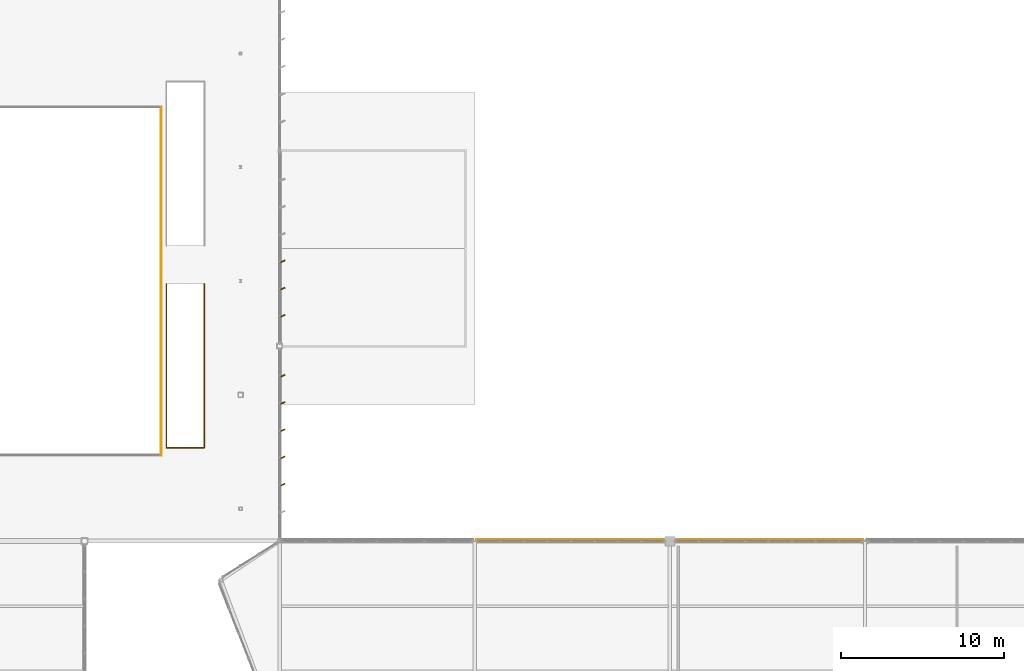
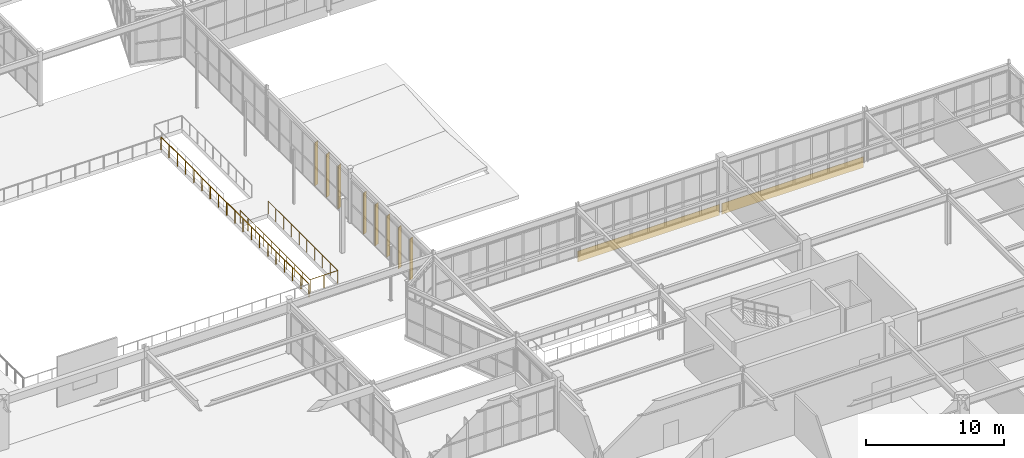
# One storey, part 219 of 226: 8 shading devices, 2 coverings, 2 railings.
"""IFC4 building model written with IfcOpenShell, lengths in metres."""

from ifc_helpers import new_model, si_unit, direction, frame, origin, origin_2d, place, context, subcontext, project, spatial, rectangle, circle, extrude, material, layer, layer_set, type_object, element, save


model = new_model("IFC4")

# Units and contexts
model_context = context("Model", 3, precision=1e-05, world=origin(), true_north=direction((0.0, 1.0)))
body_context = subcontext(model_context, "Body", "Model", "MODEL_VIEW")
ifc_project = project(units=[si_unit("LENGTHUNIT", "METRE"), si_unit("AREAUNIT", "SQUARE_METRE"), si_unit("VOLUMEUNIT", "CUBIC_METRE"), si_unit("PLANEANGLEUNIT", "RADIAN"), si_unit("MASSUNIT", "GRAM", prefix="KILO")], contexts=[model_context])

# Site, building, storey
site_placement = place(None, origin())
site = spatial("IfcSite", under=ifc_project, at=site_placement, CompositionType="ELEMENT")
building_placement = place(site_placement, origin())
building = spatial("IfcBuilding", under=site, at=building_placement, Name="Tarnwether General Hospital", CompositionType="ELEMENT")
storey_placement = place(building_placement, frame((0.0, 0.0, 4.800048828125)))
storey = spatial("IfcBuildingStorey", under=building, at=storey_placement, Name="L01", CompositionType="ELEMENT", Elevation=4.800048828125)

# Coverings
ifc_material_1 = material(Name="Folded zinc-titanium cladding")
ifc_layer_1 = layer(ifc_material_1, 0.0400390625)
ifc_layer_set_1 = layer_set([ifc_layer_1], Name="Folded zinc-titanium cladding")
covering_type = type_object("IfcCoveringType", Name="CV-CLD-ZNC", PredefinedType="CLADDING", material=ifc_layer_set_1)
for number, where, z_axis, x_axis, name in (
    (1, (162.0, 45.68994140625, -0.55517578125), (0.0, 0.0, 1.0), (1.0, 0.0, 0.0), "Deconstructivist Faceted Zinc Spandrel Blade 006"),
    (2, (174.0, 45.68994140625, -0.55517578125), (0.0, 0.0, 1.0), (1.0, 0.0, 0.0), "Deconstructivist Faceted Zinc Spandrel Blade 007"),
):
    element("IfcCovering", number, at=place(storey_placement, frame(where, z_axis=z_axis, x_axis=x_axis)), inside=storey, type_object=covering_type, Name=name, PredefinedType="CLADDING", context=body_context, shape_type="SweptSolid", body=[
        extrude(rectangle(XDim=11.800048828125, YDim=0.0400390625, at=origin_2d()), origin(), (0.0, 0.0, 1.0), 0.949951171875),
    ])

# Railings
ifc_material_2 = material(Name="Double glazed low-E glass", Category="glass")
railing_type_1 = type_object("IfcRailingType", Name="RL-BAL-ATR", PredefinedType="BALUSTRADE", material=ifc_material_2)
railing_1_placement = place(storey_placement, frame((136.699951171875, 50.89990234375, 0.0)))
element("IfcRailing", 3, at=railing_1_placement, inside=storey, type_object=railing_type_1, Name="Main Hall Atrium Balustrade L01 2", PredefinedType="BALUSTRADE", context=body_context, shape_type="SweptSolid", body=[
    extrude(circle(Radius=0.02392578125, at=origin_2d()), frame((0.0, 0.0, 1.1259765625), z_axis=(0.0, 1.0, 0.0), x_axis=(-1.0, 0.0, 0.0)), (0.0, 0.0, 1.0), 21.400146484375),
    extrude(circle(Radius=0.02099609375, at=origin_2d()), origin(), (0.0, 0.0, 1.0), 1.101806640625),
    extrude(circle(Radius=0.02099609375, at=origin_2d()), frame((0.0, 1.18896484375, 0.0)), (0.0, 0.0, 1.0), 1.101806640625),
    extrude(circle(Radius=0.02099609375, at=origin_2d()), frame((0.0, 2.377685546875, 0.0)), (0.0, 0.0, 1.0), 1.101806640625),
    extrude(circle(Radius=0.02099609375, at=origin_2d()), frame((0.0, 3.566650390625, 0.0)), (0.0, 0.0, 1.0), 1.101806640625),
    extrude(circle(Radius=0.02099609375, at=origin_2d()), frame((0.0, 4.755615234375, 0.0)), (0.0, 0.0, 1.0), 1.101806640625),
    extrude(circle(Radius=0.02099609375, at=origin_2d()), frame((0.0, 5.944580078125, 0.0)), (0.0, 0.0, 1.0), 1.101806640625),
    extrude(circle(Radius=0.02099609375, at=origin_2d()), frame((0.0, 7.13330078125, 0.0)), (0.0, 0.0, 1.0), 1.101806640625),
    extrude(circle(Radius=0.02099609375, at=origin_2d()), frame((0.0, 8.322265625, 0.0)), (0.0, 0.0, 1.0), 1.101806640625),
    extrude(circle(Radius=0.02099609375, at=origin_2d()), frame((0.0, 9.51123046875, 0.0)), (0.0, 0.0, 1.0), 1.101806640625),
    extrude(circle(Radius=0.02099609375, at=origin_2d()), frame((0.0, 10.7001953125, 0.0)), (0.0, 0.0, 1.0), 1.101806640625),
    extrude(circle(Radius=0.02099609375, at=origin_2d()), frame((0.0, 11.888916015625, 0.0)), (0.0, 0.0, 1.0), 1.101806640625),
    extrude(circle(Radius=0.02099609375, at=origin_2d()), frame((0.0, 13.077880859375, 0.0)), (0.0, 0.0, 1.0), 1.101806640625),
    extrude(circle(Radius=0.02099609375, at=origin_2d()), frame((0.0, 14.266845703125, 0.0)), (0.0, 0.0, 1.0), 1.101806640625),
    extrude(circle(Radius=0.02099609375, at=origin_2d()), frame((0.0, 15.45556640625, 0.0)), (0.0, 0.0, 1.0), 1.101806640625),
    extrude(circle(Radius=0.02099609375, at=origin_2d()), frame((0.0, 16.64453125, 0.0)), (0.0, 0.0, 1.0), 1.101806640625),
    extrude(circle(Radius=0.02099609375, at=origin_2d()), frame((0.0, 17.83349609375, 0.0)), (0.0, 0.0, 1.0), 1.101806640625),
    extrude(circle(Radius=0.02099609375, at=origin_2d()), frame((0.0, 19.0224609375, 0.0)), (0.0, 0.0, 1.0), 1.101806640625),
    extrude(circle(Radius=0.02099609375, at=origin_2d()), frame((0.0, 20.211181640625, 0.0)), (0.0, 0.0, 1.0), 1.101806640625),
    extrude(circle(Radius=0.02099609375, at=origin_2d()), frame((0.0, 21.400146484375, 0.0)), (0.0, 0.0, 1.0), 1.101806640625),
])
ifc_material_3 = material(Name="Anodised aluminium", Category="aluminium")
railing_type_2 = type_object("IfcRailingType", Name="RL-GRD-EXT", PredefinedType="GUARDRAIL", material=ifc_material_3)
railing_2_placement = place(storey_placement, frame((139.360107421875, 61.419921875, 0.0)))
element("IfcRailing", 4, at=railing_2_placement, inside=storey, type_object=railing_type_2, Name="Feature Stair Well Guard ST-11 L01", PredefinedType="GUARDRAIL", context=body_context, shape_type="SweptSolid", body=[
    extrude(circle(Radius=0.02392578125, at=origin_2d()), frame((0.0, 0.0, 1.1259765625), z_axis=(0.0, -1.0, 0.0), x_axis=(1.0, 0.0, 0.0)), (0.0, 0.0, 1.0), 10.079833984375),
    extrude(circle(Radius=0.02392578125, at=origin_2d()), frame((0.0, -10.079833984375, 1.1259765625), z_axis=(-1.0, 0.0, 0.0), x_axis=(0.0, -1.0, 0.0)), (0.0, 0.0, 1.0), 2.320068359375),
    extrude(circle(Radius=0.02392578125, at=origin_2d()), frame((-2.320068359375, -10.079833984375, 1.1259765625), z_axis=(0.0, 1.0, 0.0), x_axis=(-1.0, 0.0, 0.0)), (0.0, 0.0, 1.0), 10.079833984375),
    extrude(circle(Radius=0.02099609375, at=origin_2d()), origin(), (0.0, 0.0, 1.0), 1.101806640625),
    extrude(circle(Radius=0.02099609375, at=origin_2d()), frame((0.0, -1.119873046875, 0.0)), (0.0, 0.0, 1.0), 1.101806640625),
    extrude(circle(Radius=0.02099609375, at=origin_2d()), frame((0.0, -2.239990234375, 0.0)), (0.0, 0.0, 1.0), 1.101806640625),
    extrude(circle(Radius=0.02099609375, at=origin_2d()), frame((0.0, -3.35986328125, 0.0)), (0.0, 0.0, 1.0), 1.101806640625),
    extrude(circle(Radius=0.02099609375, at=origin_2d()), frame((0.0, -4.47998046875, 0.0)), (0.0, 0.0, 1.0), 1.101806640625),
    extrude(circle(Radius=0.02099609375, at=origin_2d()), frame((0.0, -5.599853515625, 0.0)), (0.0, 0.0, 1.0), 1.101806640625),
    extrude(circle(Radius=0.02099609375, at=origin_2d()), frame((0.0, -6.719970703125, 0.0)), (0.0, 0.0, 1.0), 1.101806640625),
    extrude(circle(Radius=0.02099609375, at=origin_2d()), frame((0.0, -7.83984375, 0.0)), (0.0, 0.0, 1.0), 1.101806640625),
    extrude(circle(Radius=0.02099609375, at=origin_2d()), frame((0.0, -8.9599609375, 0.0)), (0.0, 0.0, 1.0), 1.101806640625),
    extrude(circle(Radius=0.02099609375, at=origin_2d()), frame((0.0, -10.079833984375, 0.0)), (0.0, 0.0, 1.0), 1.101806640625),
    extrude(circle(Radius=0.02099609375, at=origin_2d()), frame((-1.16015625, -10.079833984375, 0.0)), (0.0, 0.0, 1.0), 1.101806640625),
    extrude(circle(Radius=0.02099609375, at=origin_2d()), frame((-2.320068359375, -10.079833984375, 0.0)), (0.0, 0.0, 1.0), 1.101806640625),
    extrude(circle(Radius=0.02099609375, at=origin_2d()), frame((-2.320068359375, -8.9599609375, 0.0)), (0.0, 0.0, 1.0), 1.101806640625),
    extrude(circle(Radius=0.02099609375, at=origin_2d()), frame((-2.320068359375, -7.83984375, 0.0)), (0.0, 0.0, 1.0), 1.101806640625),
    extrude(circle(Radius=0.02099609375, at=origin_2d()), frame((-2.320068359375, -6.719970703125, 0.0)), (0.0, 0.0, 1.0), 1.101806640625),
    extrude(circle(Radius=0.02099609375, at=origin_2d()), frame((-2.320068359375, -5.599853515625, 0.0)), (0.0, 0.0, 1.0), 1.101806640625),
    extrude(circle(Radius=0.02099609375, at=origin_2d()), frame((-2.320068359375, -4.47998046875, 0.0)), (0.0, 0.0, 1.0), 1.101806640625),
    extrude(circle(Radius=0.02099609375, at=origin_2d()), frame((-2.320068359375, -3.35986328125, 0.0)), (0.0, 0.0, 1.0), 1.101806640625),
    extrude(circle(Radius=0.02099609375, at=origin_2d()), frame((-2.320068359375, -2.239990234375, 0.0)), (0.0, 0.0, 1.0), 1.101806640625),
    extrude(circle(Radius=0.02099609375, at=origin_2d()), frame((-2.320068359375, -1.119873046875, 0.0)), (0.0, 0.0, 1.0), 1.101806640625),
    extrude(circle(Radius=0.02099609375, at=origin_2d()), frame((-2.320068359375, 0.0, 0.0)), (0.0, 0.0, 1.0), 1.101806640625),
])

# Shading devices
ifc_material_4 = material(Name="Champagne-bronze anodised aluminium", Category="aluminium")
ifc_layer_2 = layer(ifc_material_4, 0.06005859375)
ifc_layer_set_2 = layer_set([ifc_layer_2], Name="Champagne-bronze anodised aluminium")
shading_device_type = type_object("IfcShadingDeviceType", Name="SH-FIN-BRZ", PredefinedType="USERDEFINED", material=ifc_layer_set_2)
for number, where, z_axis, x_axis, name in (
    (5, (144.159912109375, 62.79296875, 0.0498046875), (0.0, 0.0, 1.0), (0.422618261741, -0.906307787037, 0.0), "Champagne-Bronze Brise-Soleil Fin 0239"),
    (6, (144.159912109375, 61.118896484375, 0.0498046875), (0.0, 0.0, 1.0), (0.422618261741, -0.906307787037, 0.0), "Champagne-Bronze Brise-Soleil Fin 0240"),
    (7, (144.159912109375, 59.444091796875, 0.0498046875), (0.0, 0.0, 1.0), (0.422618261741, -0.906307787037, 0.0), "Champagne-Bronze Brise-Soleil Fin 0241"),
):
    element("IfcShadingDevice", number, at=place(storey_placement, frame(where, z_axis=z_axis, x_axis=x_axis)), inside=storey, type_object=shading_device_type, Name=name, ObjectType="SOLAR FIN", PredefinedType="USERDEFINED", context=body_context, shape_type="SweptSolid", body=[
        extrude(rectangle(XDim=0.06005859375, YDim=0.360107421875, at=origin_2d()), origin(), (0.0, 0.0, 1.0), 3.797119140625),
    ])
for number, where, z_axis, x_axis, name in (
    (8, (144.159912109375, 55.756103515625, 0.0498046875), (0.0, 0.0, 1.0), (0.422618261741, -0.906307787037, 0.0), "Champagne-Bronze Brise-Soleil Fin 0242"),
    (9, (144.159912109375, 54.08203125, 0.0498046875), (0.0, 0.0, 1.0), (0.422618261741, -0.906307787037, 0.0), "Champagne-Bronze Brise-Soleil Fin 0243"),
    (10, (144.159912109375, 52.407958984375, 0.0498046875), (0.0, 0.0, 1.0), (0.422618261741, -0.906307787037, 0.0), "Champagne-Bronze Brise-Soleil Fin 0244"),
    (11, (144.159912109375, 50.735107421875, 0.0498046875), (0.0, 0.0, 1.0), (0.422618261741, -0.906307787037, 0.0), "Champagne-Bronze Brise-Soleil Fin 0245"),
    (12, (144.159912109375, 49.06103515625, 0.0498046875), (0.0, 0.0, 1.0), (0.422618261741, -0.906307787037, 0.0), "Champagne-Bronze Brise-Soleil Fin 0246"),
):
    element("IfcShadingDevice", number, at=place(storey_placement, frame(where, z_axis=z_axis, x_axis=x_axis)), inside=storey, type_object=shading_device_type, Name=name, ObjectType="SOLAR FIN", PredefinedType="USERDEFINED", context=body_context, shape_type="SweptSolid", body=[
        extrude(rectangle(XDim=0.06005859375, YDim=0.360107421875, at=origin_2d()), origin(), (0.0, 0.0, 1.0), 3.637939453125),
    ])

save(model, "model.ifc")
